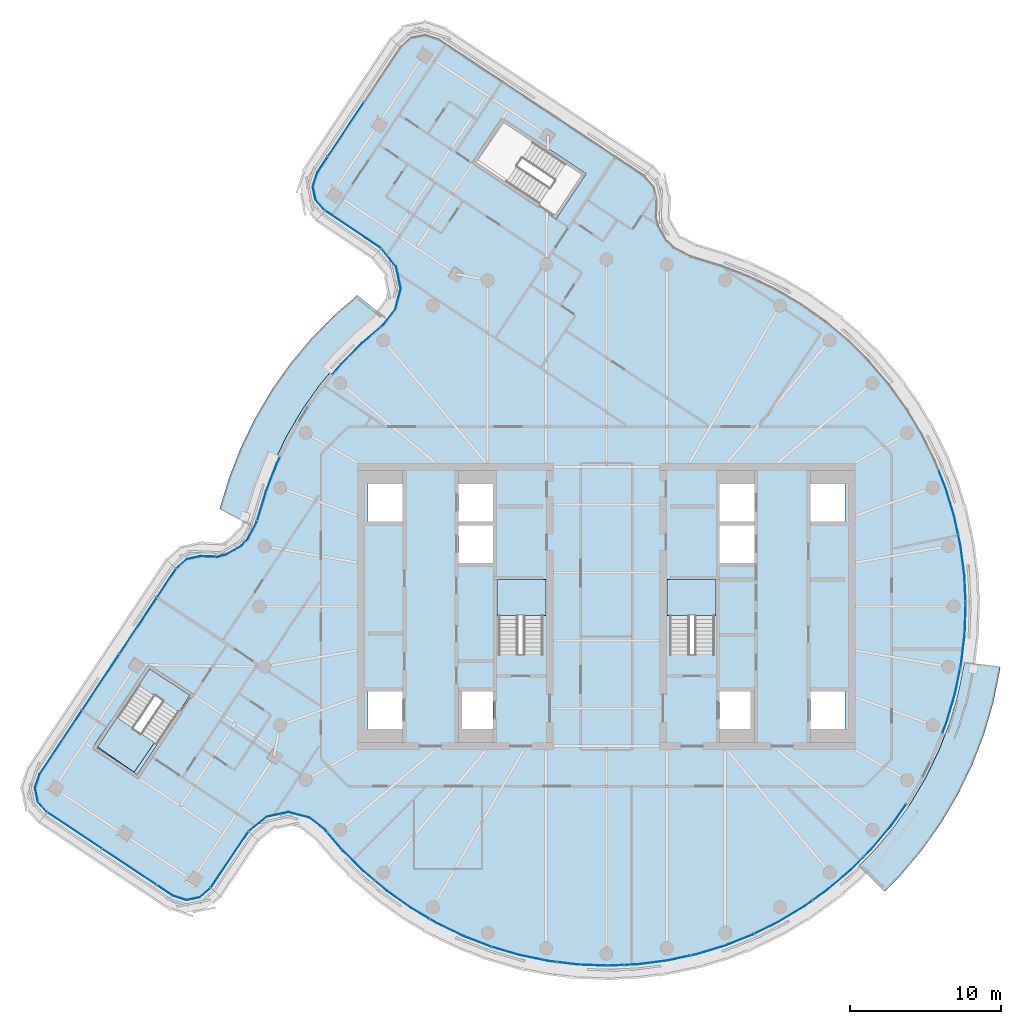
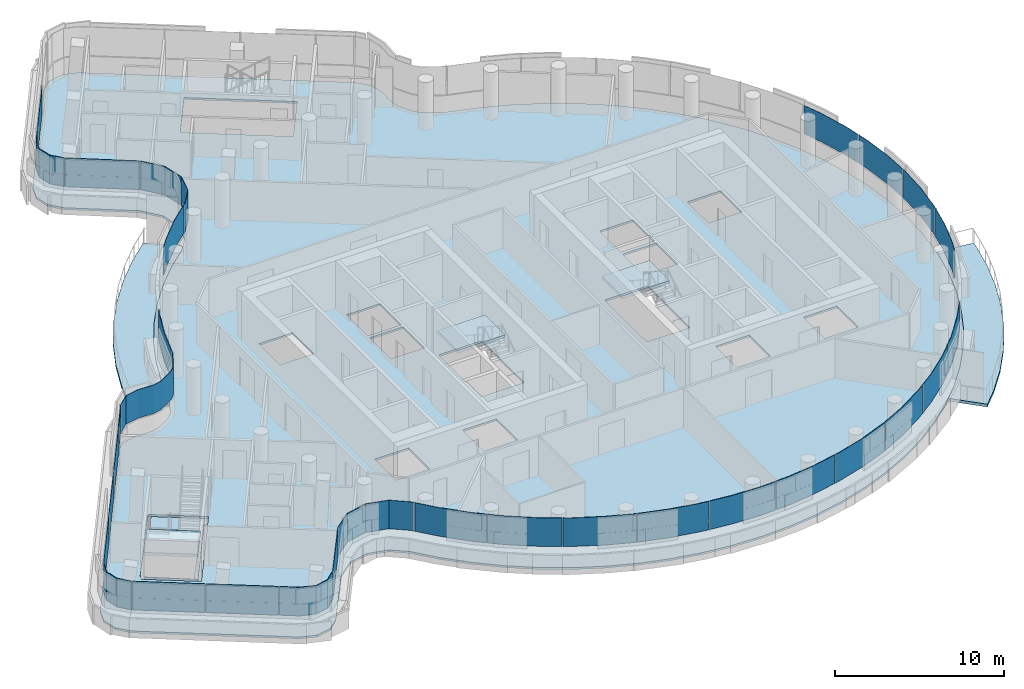
# One storey, part 15 of 27: 30 plates, 7 slabs, 10 elements without a shape of their own.
"""IFC4 building model written with IfcOpenShell, lengths in metres."""

from ifc_helpers import new_model, si_unit, direction, frame, origin, place, context, subcontext, project, spatial, polyline, outline, extrude, material, layer, layer_set, type_object, element, aggregate, save


model = new_model("IFC4")

# Units and contexts
model_context = context("Model", 3, precision=1e-05, world=origin(), true_north=direction((0.0, 1.0)))
body_context = subcontext(model_context, "Body", "Model", "MODEL_VIEW")
ifc_project = project(units=[si_unit("LENGTHUNIT", "METRE"), si_unit("AREAUNIT", "SQUARE_METRE"), si_unit("VOLUMEUNIT", "CUBIC_METRE"), si_unit("PLANEANGLEUNIT", "RADIAN"), si_unit("MASSUNIT", "GRAM", prefix="KILO")], contexts=[model_context])

# Site, building, storey
site_placement = place(None, origin())
site = spatial("IfcSite", under=ifc_project, at=site_placement, CompositionType="ELEMENT")
building_placement = place(site_placement, origin())
building = spatial("IfcBuilding", under=site, at=building_placement, Name="Tamarind Cross Interchange Tower", CompositionType="ELEMENT")
storey_placement = place(building_placement, frame((0.0, 0.0, 237.89990234375)))
storey = spatial("IfcBuildingStorey", under=building, at=storey_placement, Name="L60", CompositionType="ELEMENT", Elevation=237.89990234375)

# Slabs
ifc_material_1 = material(Name="Precast concrete C40", Category="concrete")
ifc_layer_1 = layer(ifc_material_1, 0.199951171875)
ifc_layer_set_1 = layer_set([ifc_layer_1], Name="Precast concrete C40")
slab_type_1 = type_object("IfcSlabType", Name="Balcony slab", PredefinedType="BASESLAB", material=ifc_layer_set_1)
slab_1_placement = place(storey_placement, frame((0.0, 0.0, -0.199951171875)))
element("IfcSlab", 1, at=slab_1_placement, inside=storey, type_object=slab_type_1, Name="SLB-L60-BAL02", PredefinedType="BASESLAB", context=body_context, shape_type="SweptSolid", body=[
    extrude(outline(polyline([(16.7412109375, -17.167236328125), (17.72412109375, -16.17578125), (18.99951171875, -14.656982421875), (20.14501953125, -13.0380859375), (21.15283203125, -11.329833984375), (22.01611328125, -9.54443359375), (22.72900390625, -7.69384765625), (23.286865234375, -5.79052734375), (23.685546875, -3.84765625), (23.69921875, -3.734130859375), (26.08203125, -4.020751953125), (26.056396484375, -4.23291015625), (25.617919921875, -6.3701171875), (25.00439453125, -8.4638671875), (24.219970703125, -10.499755859375), (23.270263671875, -12.464111328125), (22.161376953125, -14.343017578125), (20.9013671875, -16.124267578125), (19.498291015625, -17.795166015625), (18.445556640625, -18.857177734375), (16.7412109375, -17.167236328125)])), origin(), (0.0, 0.0, 1.0), 0.199951171875),
])
slab_2_placement = place(storey_placement, frame((0.0, 0.0, -0.199951171875)))
element("IfcSlab", 2, at=slab_2_placement, inside=storey, type_object=slab_type_1, Name="SLB-L60-BAL06", PredefinedType="BASESLAB", context=body_context, shape_type="SweptSolid", body=[
    extrude(outline(polyline([(-14.65673828125, 19.135009765625), (-14.93408203125, 18.776123046875), (-16.327880859375, 17.584228515625), (-17.72412109375, 16.17578125), (-18.99951171875, 14.656982421875), (-20.14501953125, 13.0380859375), (-21.15283203125, 11.329833984375), (-22.01611328125, 9.54443359375), (-22.72900390625, 7.69384765625), (-23.3564453125, 5.649169921875), (-23.507080078125, 5.365234375), (-25.626953125, 6.49072265625), (-25.583740234375, 6.572265625), (-24.998779296875, 8.47802734375), (-24.219970703125, 10.499755859375), (-23.270263671875, 12.464111328125), (-22.161376953125, 14.343017578125), (-20.9013671875, 16.124267578125), (-19.498291015625, 17.795166015625), (-17.962646484375, 19.34423828125), (-16.681884765625, 20.439208984375), (-16.55615234375, 20.60205078125), (-14.65673828125, 19.135009765625)])), origin(), (0.0, 0.0, 1.0), 0.199951171875),
])
ifc_material_2 = material(Name="Concrete C35", Category="concrete")
ifc_layer_2 = layer(ifc_material_2, 0.139892578125)
ifc_layer_set_2 = layer_set([ifc_layer_2], Name="Concrete C35")
slab_type_2 = type_object("IfcSlabType", Name="Composite slab 140 Concrete C35", PredefinedType="FLOOR", material=ifc_layer_set_2)
slab_3_placement = place(storey_placement, frame((0.0, 0.0, -0.139892578125)))
element("IfcSlab", 3, at=slab_3_placement, inside=storey, type_object=slab_type_2, Name="Floor slab L60", PredefinedType="FLOOR", context=body_context, shape_type="SweptSolid", body=[
    extrude(outline(polyline([(-27.8896484375, 3.317626953125), (-28.648681640625, 2.6416015625), (-37.72021484375, -11.022216796875), (-38.050048828125, -12.00341796875), (-37.844970703125, -13.018310546875), (-37.16015625, -13.794677734375), (-28.8291015625, -19.32568359375), (-27.84765625, -19.65576171875), (-26.8330078125, -19.45068359375), (-26.056640625, -18.765869140625), (-23.554931640625, -15.0458984375), (-22.411865234375, -14.11669921875), (-21.0859375, -13.82958984375), (-19.771484375, -14.165283203125), (-18.77587890625, -14.93408203125), (-17.584228515625, -16.327880859375), (-16.17578125, -17.72412109375), (-14.656982421875, -18.99951171875), (-13.0380859375, -20.14501953125), (-11.329833984375, -21.15283203125), (-9.54443359375, -22.01611328125), (-7.693603515625, -22.72900390625), (-5.79052734375, -23.286865234375), (-3.84765625, -23.685546875), (-1.878662109375, -23.92236328125), (0.103271484375, -23.99560546875), (2.08447265625, -23.9052734375), (4.051513671875, -23.651611328125), (5.99072265625, -23.236083984375), (7.88916015625, -22.662109375), (9.7333984375, -21.93310546875), (11.511474609375, -21.054443359375), (13.2109375, -20.031982421875), (14.820068359375, -18.87255859375), (16.327880859375, -17.584228515625), (17.72412109375, -16.17578125), (18.99951171875, -14.656982421875), (20.14501953125, -13.0380859375), (21.15283203125, -11.329833984375), (22.01611328125, -9.54443359375), (22.72900390625, -7.693603515625), (23.286865234375, -5.79052734375), (23.685546875, -3.84765625), (23.92236328125, -1.878662109375), (23.99560546875, 0.103271484375), (23.9052734375, 2.08447265625), (23.651611328125, 4.051513671875), (23.236083984375, 5.99072265625), (22.662109375, 7.88916015625), (21.93310546875, 9.7333984375), (21.054443359375, 11.511474609375), (20.031982421875, 13.2109375), (18.87255859375, 14.820068359375), (17.584228515625, 16.327880859375), (16.17578125, 17.72412109375), (14.656982421875, 18.99951171875), (13.0380859375, 20.14501953125), (11.329833984375, 21.15283203125), (9.54443359375, 22.01611328125), (7.693603515625, 22.72900390625), (5.649169921875, 23.3564453125), (4.55224609375, 23.93896484375), (4.161376953125, 24.3173828125), (3.614990234375, 25.27197265625), (3.486328125, 25.80078125), (3.533447265625, 26.896484375), (3.317626953125, 27.8896484375), (2.6416015625, 28.648681640625), (-11.022216796875, 37.72021484375), (-12.00341796875, 38.050048828125), (-13.018310546875, 37.844970703125), (-13.794677734375, 37.16015625), (-19.32568359375, 28.8291015625), (-19.65576171875, 27.84765625), (-19.45068359375, 26.8330078125), (-18.765869140625, 26.056640625), (-15.0458984375, 23.554931640625), (-14.11669921875, 22.411865234375), (-13.82958984375, 21.0859375), (-14.165283203125, 19.771484375), (-14.93408203125, 18.77587890625), (-16.327880859375, 17.584228515625), (-17.72412109375, 16.17578125), (-18.99951171875, 14.656982421875), (-20.14501953125, 13.0380859375), (-21.15283203125, 11.329833984375), (-22.01611328125, 9.54443359375), (-22.72900390625, 7.693603515625), (-23.3564453125, 5.649169921875), (-23.93896484375, 4.55224609375), (-24.3173828125, 4.161376953125), (-25.27197265625, 3.614990234375), (-25.80078125, 3.486328125), (-26.896484375, 3.533447265625), (-27.8896484375, 3.317626953125)]), holes=[polyline([(-30.313232421875, -3.84326171875), (-30.146484375, -3.953857421875), (-27.480712890625, -5.723876953125), (-27.31396484375, -5.83447265625), (-31.02001953125, -11.416259765625), (-31.1865234375, -11.3056640625), (-33.852294921875, -9.53564453125), (-34.01904296875, -9.425048828125), (-33.861328125, -9.1875), (-33.91064453125, -9.1533203125), (-32.04150390625, -6.446533203125), (-30.313232421875, -3.84326171875)]), polyline([(-13.5, -8.125), (-15.800048828125, -8.125), (-15.800048828125, -5.625), (-13.5, -5.625), (-13.5, -8.125)]), polyline([(-7.5, -8.125), (-9.800048828125, -8.125), (-9.800048828125, -5.625), (-7.5, -5.625), (-7.5, -8.125)]), polyline([(-7.5, 2.875), (-9.800048828125, 2.875), (-9.800048828125, 5.375), (-7.5, 5.375), (-7.5, 2.875)]), polyline([(-13.5, 8.125), (-13.5, 5.625), (-15.800048828125, 5.625), (-15.800048828125, 8.125), (-13.5, 8.125)]), polyline([(-7.5, 5.625), (-9.800048828125, 5.625), (-9.800048828125, 8.125), (-7.5, 8.125), (-7.5, 5.625)]), polyline([(-1.343994140625, 28.65380859375), (-1.45458984375, 28.4873046875), (-3.224609375, 25.8212890625), (-3.335205078125, 25.65478515625), (-8.9169921875, 29.360595703125), (-8.806396484375, 29.527099609375), (-7.036376953125, 32.193115234375), (-6.92578125, 32.359619140625), (-6.687744140625, 32.20166015625), (-6.684814453125, 32.2060546875), (-6.446533203125, 32.04150390625), (-1.343994140625, 28.65380859375)]), polyline([(7.5, -8.125), (7.5, -5.625), (9.800048828125, -5.625), (9.800048828125, -8.125), (7.5, -8.125)]), polyline([(13.5, -8.125), (13.5, -5.625), (15.800048828125, -5.625), (15.800048828125, -8.125), (13.5, -8.125)]), polyline([(-7.14990234375, 1.800048828125), (-4.199951171875, 1.800048828125), (-4.199951171875, -3.18798828125), (-7.14990234375, -3.18798828125), (-7.14990234375, 1.800048828125)]), polyline([(7.14990234375, 1.800048828125), (7.14990234375, -3.18798828125), (4.199951171875, -3.18798828125), (4.199951171875, 1.800048828125), (7.14990234375, 1.800048828125)]), polyline([(7.5, 5.375), (9.800048828125, 5.375), (9.800048828125, 2.875), (7.5, 2.875), (7.5, 5.375)]), polyline([(7.5, 5.625), (7.5, 8.125), (9.800048828125, 8.125), (9.800048828125, 5.625), (7.5, 5.625)]), polyline([(13.5, 8.125), (15.800048828125, 8.125), (15.800048828125, 5.625), (13.5, 5.625), (13.5, 8.125)])]), origin(), (0.0, 0.0, 1.0), 0.139892578125),
])
slab_4_placement = place(storey_placement, frame((0.0, 0.0, -0.139892578125)))
element("IfcSlab", 4, at=slab_4_placement, inside=storey, type_object=slab_type_2, Name="Floor slab L60", PredefinedType="FLOOR", context=body_context, shape_type="SweptSolid", body=[
    extrude(outline(polyline([(-33.74169921875, -9.369140625), (-31.075927734375, -11.13916015625), (-27.59130859375, -5.890380859375), (-30.257080078125, -4.12060546875), (-30.937255859375, -5.14501953125), (-30.98291015625, -5.213623046875), (-28.45849609375, -6.889404296875), (-31.277587890625, -10.9716796875), (-33.69677734375, -9.30126953125), (-33.74169921875, -9.369140625)])), origin(), (0.0, 0.0, 1.0), 0.139892578125),
])

# Stair, slab
ifc_material_3 = material(Name="Exit stair")
stair_type = type_object("IfcStairType", Name="Exit stair", PredefinedType="HALF_TURN_STAIR", material=ifc_material_3)
stair_1_placement = place(storey_placement, origin())
stair_1 = element("IfcStair", 5, at=stair_1_placement, inside=storey, type_object=stair_type, Name="L60 exit stair ST1", PredefinedType="HALF_TURN_STAIR")
ifc_material_4 = material(Name="Concrete C40", Category="concrete")
ifc_layer_3 = layer(ifc_material_4, 0.199951171875)
ifc_layer_set_3 = layer_set([ifc_layer_3], Name="Concrete C40")
slab_type_3 = type_object("IfcSlabType", Name="Stair landing", PredefinedType="LANDING", material=ifc_layer_set_3)
slab_5_placement = place(storey_placement, frame((0.0, 0.0, 1.60009765625)))
slab_5 = element("IfcSlab", 6, at=slab_5_placement, type_object=slab_type_3, Name="ST1 landing 1", PredefinedType="LANDING", context=body_context, shape_type="SweptSolid", body=[
    extrude(outline(polyline([(-4.0, -0.60009765625), (-4.0, 1.800048828125), (-7.25, 1.800048828125), (-7.25, -0.60009765625), (-4.0, -0.60009765625)])), origin(), (0.0, 0.0, 1.0), 0.199951171875),
])
aggregate(stair_1, [slab_5])

stair_2_placement = place(storey_placement, origin())
stair_2 = element("IfcStair", 7, at=stair_2_placement, inside=storey, type_object=stair_type, Name="L60 exit stair ST2", PredefinedType="HALF_TURN_STAIR")
slab_6_placement = place(storey_placement, frame((0.0, 0.0, 1.60009765625)))
slab_6 = element("IfcSlab", 8, at=slab_6_placement, type_object=slab_type_3, Name="ST2 landing 1", PredefinedType="LANDING", context=body_context, shape_type="SweptSolid", body=[
    extrude(outline(polyline([(7.25, -0.60009765625), (7.25, 1.800048828125), (4.0, 1.800048828125), (4.0, -0.60009765625), (7.25, -0.60009765625)])), origin(), (0.0, 0.0, 1.0), 0.199951171875),
])
aggregate(stair_2, [slab_6])

stair_3_placement = place(storey_placement, origin())
stair_3 = element("IfcStair", 9, at=stair_3_placement, inside=storey, type_object=stair_type, Name="L60 exit stair ST5", PredefinedType="HALF_TURN_STAIR")
slab_7_placement = place(storey_placement, frame((0.0, 0.0, 1.60009765625)))
slab_7 = element("IfcSlab", 10, at=slab_7_placement, type_object=slab_type_3, Name="ST5 landing 1", PredefinedType="LANDING", context=body_context, shape_type="SweptSolid", body=[
    extrude(outline(polyline([(-32.40771484375, -7.359619140625), (-33.74169921875, -9.369140625), (-31.075927734375, -11.13916015625), (-29.74169921875, -9.129638671875), (-32.40771484375, -7.359619140625)])), origin(), (0.0, 0.0, 1.0), 0.199951171875),
])
aggregate(stair_3, [slab_7])

# Curtain wall, plates
ifc_material_5 = material(Name="Aluminium 6063-T6", Category="aluminium")
ifc_layer_4 = layer(ifc_material_5, 0.139892578125)
ifc_layer_set_4 = layer_set([ifc_layer_4], Name="Aluminium 6063-T6")
curtain_wall_type = type_object("IfcCurtainWallType", Name="Hotel curtain wall, 4.5 m bays", PredefinedType="NOTDEFINED", material=ifc_layer_set_4)
curtain_wall_1_placement = place(storey_placement, origin())
curtain_wall_1 = element("IfcCurtainWall", 11, at=curtain_wall_1_placement, inside=storey, type_object=curtain_wall_type, Name="CWS-L60-00", PredefinedType="NOTDEFINED")
ifc_material_6 = material(Name="Laminated low-e glass 6+1.52+6", Category="glass")
ifc_layer_5 = layer(ifc_material_6, 0.02392578125)
ifc_layer_set_5 = layer_set([ifc_layer_5], Name="Laminated low-e glass 6+1.52+6")
plate_type = type_object("IfcPlateType", Name="Vision panel CW2", PredefinedType="CURTAIN_PANEL", material=ifc_layer_set_5)
plate_1_placement = place(storey_placement, frame((0.0, 0.0, 1.400146484375)))
plate_1 = element("IfcPlate", 12, at=plate_1_placement, type_object=plate_type, Name="CWP-L60-00-00", PredefinedType="CURTAIN_PANEL", context=body_context, shape_type="SweptSolid", body=[
    extrude(outline(polyline([(-36.995849609375, -13.649169921875), (-33.425537109375, -16.01953125), (-33.438720703125, -16.03955078125), (-37.00927734375, -13.669189453125), (-36.995849609375, -13.649169921875)])), origin(), (0.0, 0.0, 1.0), 2.06005859375),
])
plate_2_placement = place(storey_placement, frame((0.0, 0.0, 1.400146484375)))
plate_2 = element("IfcPlate", 13, at=plate_2_placement, type_object=plate_type, Name="CWP-L60-00-01", PredefinedType="CURTAIN_PANEL", context=body_context, shape_type="SweptSolid", body=[
    extrude(outline(polyline([(-33.37548828125, -16.052734375), (-29.80517578125, -18.423095703125), (-29.818603515625, -18.443115234375), (-33.388916015625, -16.07275390625), (-33.37548828125, -16.052734375)])), origin(), (0.0, 0.0, 1.0), 2.06005859375),
])
plate_3_placement = place(storey_placement, frame((0.0, 0.0, 1.400146484375)))
plate_3 = element("IfcPlate", 14, at=plate_3_placement, type_object=plate_type, Name="CWP-L60-00-02", PredefinedType="CURTAIN_PANEL", context=body_context, shape_type="SweptSolid", body=[
    extrude(outline(polyline([(-29.755126953125, -18.456298828125), (-28.735107421875, -19.1337890625), (-27.833984375, -19.4365234375), (-26.9306640625, -19.254150390625), (-26.23876953125, -18.6435546875), (-26.22265625, -18.66162109375), (-26.91943359375, -19.2763671875), (-27.835693359375, -19.46142578125), (-28.74560546875, -19.155517578125), (-29.7685546875, -18.476318359375), (-29.755126953125, -18.456298828125)])), origin(), (0.0, 0.0, 1.0), 2.06005859375),
])
aggregate(curtain_wall_1, [plate_1, plate_2, plate_3])

# Curtain wall, plate
curtain_wall_2_placement = place(storey_placement, origin())
curtain_wall_2 = element("IfcCurtainWall", 15, at=curtain_wall_2_placement, inside=storey, type_object=curtain_wall_type, Name="CWS-L60-01", PredefinedType="NOTDEFINED")
plate_4_placement = place(storey_placement, frame((0.0, 0.0, 1.400146484375)))
plate_4 = element("IfcPlate", 16, at=plate_4_placement, type_object=plate_type, Name="CWP-L60-01-00", PredefinedType="CURTAIN_PANEL", context=body_context, shape_type="SweptSolid", body=[
    extrude(outline(polyline([(-26.201416015625, -18.601318359375), (-23.73095703125, -14.927734375), (-23.7109375, -14.94091796875), (-26.181396484375, -18.61474609375), (-26.201416015625, -18.601318359375)])), origin(), (0.0, 0.0, 1.0), 2.06005859375),
])
aggregate(curtain_wall_2, [plate_4])

# Curtain wall, plates
curtain_wall_3_placement = place(storey_placement, origin())
curtain_wall_3 = element("IfcCurtainWall", 17, at=curtain_wall_3_placement, inside=storey, type_object=curtain_wall_type, Name="CWS-L60-02", PredefinedType="NOTDEFINED")
plate_5_placement = place(storey_placement, frame((0.0, 0.0, 1.400146484375)))
plate_5 = element("IfcPlate", 18, at=plate_5_placement, type_object=plate_type, Name="CWP-L60-02-00", PredefinedType="CURTAIN_PANEL", context=body_context, shape_type="SweptSolid", body=[
    extrude(outline(polyline([(-23.6884765625, -14.881103515625), (-22.506103515625, -13.920166015625), (-21.081787109375, -13.61181640625), (-19.676513671875, -13.970703125), (-18.629150390625, -14.779541015625), (-18.5068359375, -14.922607421875), (-18.525146484375, -14.93798828125), (-18.645751953125, -14.797119140625), (-19.687255859375, -13.99267578125), (-21.082275390625, -13.636474609375), (-22.49560546875, -13.9423828125), (-23.67333984375, -14.89990234375), (-23.6884765625, -14.881103515625)])), origin(), (0.0, 0.0, 1.0), 2.06005859375),
])
plate_6_placement = place(storey_placement, frame((0.0, 0.0, 1.400146484375)))
plate_6 = element("IfcPlate", 19, at=plate_6_placement, type_object=plate_type, Name="CWP-L60-02-01", PredefinedType="CURTAIN_PANEL", context=body_context, shape_type="SweptSolid", body=[
    extrude(outline(polyline([(-18.468017578125, -14.968017578125), (-17.4287109375, -16.183349609375), (-16.032958984375, -17.5673828125), (-15.37060546875, -18.12353515625), (-15.385986328125, -18.141845703125), (-16.049072265625, -17.585205078125), (-17.446533203125, -16.19970703125), (-18.486083984375, -14.983642578125), (-18.468017578125, -14.968017578125)])), origin(), (0.0, 0.0, 1.0), 2.06005859375),
])
plate_7_placement = place(storey_placement, frame((0.0, 0.0, 1.400146484375)))
plate_7 = element("IfcPlate", 20, at=plate_7_placement, type_object=plate_type, Name="CWP-L60-02-02", PredefinedType="CURTAIN_PANEL", context=body_context, shape_type="SweptSolid", body=[
    extrude(outline(polyline([(-15.324462890625, -18.162109375), (-14.52734375, -18.83154296875), (-12.922607421875, -19.966796875), (-11.718017578125, -20.677490234375), (-11.730224609375, -20.6982421875), (-12.935791015625, -19.987060546875), (-14.5419921875, -18.850341796875), (-15.340087890625, -18.180419921875), (-15.324462890625, -18.162109375)])), origin(), (0.0, 0.0, 1.0), 2.06005859375),
])
plate_8_placement = place(storey_placement, frame((0.0, 0.0, 1.400146484375)))
plate_8 = element("IfcPlate", 21, at=plate_8_placement, type_object=plate_type, Name="CWP-L60-02-03", PredefinedType="CURTAIN_PANEL", context=body_context, shape_type="SweptSolid", body=[
    extrude(outline(polyline([(-11.66650390625, -20.7080078125), (-11.229736328125, -20.9658203125), (-9.4599609375, -21.821533203125), (-7.656982421875, -22.51611328125), (-7.66552734375, -22.53857421875), (-9.469482421875, -21.843505859375), (-11.240966796875, -20.98681640625), (-11.678466796875, -20.728759765625), (-11.66650390625, -20.7080078125)])), origin(), (0.0, 0.0, 1.0), 2.06005859375),
])
plate_9_placement = place(storey_placement, frame((0.0, 0.0, 1.400146484375)))
plate_9 = element("IfcPlate", 22, at=plate_9_placement, type_object=plate_type, Name="CWP-L60-02-04", PredefinedType="CURTAIN_PANEL", context=body_context, shape_type="SweptSolid", body=[
    extrude(outline(polyline([(-7.60107421875, -22.535400390625), (-5.7392578125, -23.080810546875), (-3.813720703125, -23.47607421875), (-3.318603515625, -23.53564453125), (-3.321533203125, -23.559326171875), (-3.817626953125, -23.499755859375), (-5.7451171875, -23.104248046875), (-7.60791015625, -22.558349609375), (-7.60107421875, -22.535400390625)])), origin(), (0.0, 0.0, 1.0), 2.06005859375),
])
plate_10_placement = place(storey_placement, frame((0.0, 0.0, 1.400146484375)))
plate_10 = element("IfcPlate", 23, at=plate_10_placement, type_object=plate_type, Name="CWP-L60-02-05", PredefinedType="CURTAIN_PANEL", context=body_context, shape_type="SweptSolid", body=[
    extrude(outline(polyline([(-3.259033203125, -23.542724609375), (-1.862060546875, -23.710693359375), (0.102294921875, -23.783447265625), (1.1337890625, -23.736328125), (1.135009765625, -23.760498046875), (0.1025390625, -23.8076171875), (-1.864013671875, -23.734619140625), (-3.261962890625, -23.566650390625), (-3.259033203125, -23.542724609375)])), origin(), (0.0, 0.0, 1.0), 2.06005859375),
])
plate_11_placement = place(storey_placement, frame((0.0, 0.0, 1.400146484375)))
plate_11 = element("IfcPlate", 24, at=plate_11_placement, type_object=plate_type, Name="CWP-L60-02-06", PredefinedType="CURTAIN_PANEL", context=body_context, shape_type="SweptSolid", body=[
    extrude(outline(polyline([(1.19384765625, -23.733642578125), (2.06591796875, -23.69384765625), (4.015625, -23.4423828125), (5.547119140625, -23.1142578125), (5.552001953125, -23.1376953125), (4.019775390625, -23.466064453125), (2.068115234375, -23.7177734375), (1.19482421875, -23.757568359375), (1.19384765625, -23.733642578125)])), origin(), (0.0, 0.0, 1.0), 2.06005859375),
])
plate_12_placement = place(storey_placement, frame((0.0, 0.0, 1.400146484375)))
plate_12 = element("IfcPlate", 25, at=plate_12_placement, type_object=plate_type, Name="CWP-L60-02-07", PredefinedType="CURTAIN_PANEL", context=body_context, shape_type="SweptSolid", body=[
    extrude(outline(polyline([(5.605712890625, -23.101806640625), (5.937744140625, -23.03076171875), (7.8193359375, -22.461669921875), (9.6474609375, -21.7392578125), (9.766357421875, -21.680419921875), (9.777099609375, -21.701904296875), (9.6572265625, -21.76123046875), (7.8271484375, -22.484375), (5.94384765625, -23.053955078125), (5.61083984375, -23.125244140625), (5.605712890625, -23.101806640625)])), origin(), (0.0, 0.0, 1.0), 2.06005859375),
])
plate_13_placement = place(storey_placement, frame((0.0, 0.0, 1.400146484375)))
plate_13 = element("IfcPlate", 26, at=plate_13_placement, type_object=plate_type, Name="CWP-L60-02-08", PredefinedType="CURTAIN_PANEL", context=body_context, shape_type="SweptSolid", body=[
    extrude(outline(polyline([(9.8203125, -21.65380859375), (11.40966796875, -20.868408203125), (13.093994140625, -19.854736328125), (13.634521484375, -19.46533203125), (13.648681640625, -19.48486328125), (13.107177734375, -19.874755859375), (11.421142578125, -20.889404296875), (9.830810546875, -21.67529296875), (9.8203125, -21.65380859375)])), origin(), (0.0, 0.0, 1.0), 2.06005859375),
])
plate_14_placement = place(storey_placement, frame((0.0, 0.0, 1.400146484375)))
plate_14 = element("IfcPlate", 27, at=plate_14_placement, type_object=plate_type, Name="CWP-L60-02-09", PredefinedType="CURTAIN_PANEL", context=body_context, shape_type="SweptSolid", body=[
    extrude(outline(polyline([(13.683349609375, -19.43017578125), (14.68896484375, -18.705810546875), (16.183349609375, -17.4287109375), (17.0283203125, -16.57666015625), (17.04541015625, -16.593505859375), (16.19970703125, -17.4462890625), (14.703857421875, -18.724609375), (13.697265625, -19.44970703125), (13.683349609375, -19.43017578125)])), origin(), (0.0, 0.0, 1.0), 2.06005859375),
])
plate_15_placement = place(storey_placement, frame((0.0, 0.0, 1.400146484375)))
plate_15 = element("IfcPlate", 28, at=plate_15_placement, type_object=plate_type, Name="CWP-L60-02-10", PredefinedType="CURTAIN_PANEL", context=body_context, shape_type="SweptSolid", body=[
    extrude(outline(polyline([(17.070556640625, -16.533935546875), (17.5673828125, -16.032958984375), (18.83154296875, -14.52734375), (19.832763671875, -13.112060546875), (19.852294921875, -13.1259765625), (18.850341796875, -14.5419921875), (17.585205078125, -16.049072265625), (17.087646484375, -16.55078125), (17.070556640625, -16.533935546875)])), origin(), (0.0, 0.0, 1.0), 2.06005859375),
])
plate_16_placement = place(storey_placement, frame((0.0, 0.0, 1.400146484375)))
plate_16 = element("IfcPlate", 29, at=plate_16_placement, type_object=plate_type, Name="CWP-L60-02-12", PredefinedType="CURTAIN_PANEL", context=body_context, shape_type="SweptSolid", body=[
    extrude(outline(polyline([(22.240234375, -8.372802734375), (22.528076171875, -7.625732421875), (23.080810546875, -5.7392578125), (23.410400390625, -4.134033203125), (23.433837890625, -4.138916015625), (23.104248046875, -5.7451171875), (22.55078125, -7.63330078125), (22.2626953125, -8.381591796875), (22.240234375, -8.372802734375)])), origin(), (0.0, 0.0, 1.0), 2.06005859375),
])
plate_17_placement = place(storey_placement, frame((0.0, 0.0, 1.400146484375)))
plate_17 = element("IfcPlate", 30, at=plate_17_placement, type_object=plate_type, Name="CWP-L60-02-13", PredefinedType="CURTAIN_PANEL", context=body_context, shape_type="SweptSolid", body=[
    extrude(outline(polyline([(23.42236328125, -4.0751953125), (23.47607421875, -3.813720703125), (23.710693359375, -1.862060546875), (23.783447265625, 0.102294921875), (23.774169921875, 0.307373046875), (23.798095703125, 0.308349609375), (23.8076171875, 0.1025390625), (23.734619140625, -1.864013671875), (23.499755859375, -3.817626953125), (23.44580078125, -4.080078125), (23.42236328125, -4.0751953125)])), origin(), (0.0, 0.0, 1.0), 2.06005859375),
])
plate_18_placement = place(storey_placement, frame((0.0, 0.0, 1.400146484375)))
plate_18 = element("IfcPlate", 31, at=plate_18_placement, type_object=plate_type, Name="CWP-L60-02-14", PredefinedType="CURTAIN_PANEL", context=body_context, shape_type="SweptSolid", body=[
    extrude(outline(polyline([(23.771484375, 0.3671875), (23.69384765625, 2.06591796875), (23.4423828125, 4.015625), (23.28759765625, 4.738037109375), (23.31103515625, 4.7431640625), (23.466064453125, 4.019775390625), (23.7177734375, 2.068115234375), (23.79541015625, 0.368408203125), (23.771484375, 0.3671875)])), origin(), (0.0, 0.0, 1.0), 2.06005859375),
])
plate_19_placement = place(storey_placement, frame((0.0, 0.0, 1.400146484375)))
plate_19 = element("IfcPlate", 32, at=plate_19_placement, type_object=plate_type, Name="CWP-L60-02-15", PredefinedType="CURTAIN_PANEL", context=body_context, shape_type="SweptSolid", body=[
    extrude(outline(polyline([(23.275146484375, 4.796630859375), (23.03076171875, 5.937744140625), (22.461669921875, 7.8193359375), (21.993896484375, 9.0029296875), (22.016357421875, 9.01171875), (22.484375, 7.8271484375), (23.053955078125, 5.94384765625), (23.298583984375, 4.8017578125), (23.275146484375, 4.796630859375)])), origin(), (0.0, 0.0, 1.0), 2.06005859375),
])
aggregate(curtain_wall_3, [plate_5, plate_6, plate_7, plate_8, plate_9, plate_10, plate_11, plate_12, plate_13, plate_14, plate_15, plate_16, plate_17, plate_18, plate_19])

curtain_wall_4_placement = place(storey_placement, origin())
curtain_wall_4 = element("IfcCurtainWall", 33, at=curtain_wall_4_placement, inside=storey, type_object=curtain_wall_type, Name="CWS-L60-04", PredefinedType="NOTDEFINED")
plate_20_placement = place(storey_placement, frame((0.0, 0.0, 1.400146484375)))
plate_20 = element("IfcPlate", 34, at=plate_20_placement, type_object=plate_type, Name="CWP-L60-04-01", PredefinedType="CURTAIN_PANEL", context=body_context, shape_type="SweptSolid", body=[
    extrude(outline(polyline([(-16.052734375, 33.37548828125), (-18.423095703125, 29.80517578125), (-18.443115234375, 29.818603515625), (-16.07275390625, 33.388916015625), (-16.052734375, 33.37548828125)])), origin(), (0.0, 0.0, 1.0), 2.06005859375),
])
plate_21_placement = place(storey_placement, frame((0.0, 0.0, 1.400146484375)))
plate_21 = element("IfcPlate", 35, at=plate_21_placement, type_object=plate_type, Name="CWP-L60-04-02", PredefinedType="CURTAIN_PANEL", context=body_context, shape_type="SweptSolid", body=[
    extrude(outline(polyline([(-18.456298828125, 29.755126953125), (-19.1337890625, 28.735107421875), (-19.4365234375, 27.833984375), (-19.254150390625, 26.9306640625), (-18.6435546875, 26.23876953125), (-18.66162109375, 26.22265625), (-19.2763671875, 26.91943359375), (-19.46142578125, 27.835693359375), (-19.155517578125, 28.74560546875), (-18.476318359375, 29.7685546875), (-18.456298828125, 29.755126953125)])), origin(), (0.0, 0.0, 1.0), 2.06005859375),
])
aggregate(curtain_wall_4, [plate_20, plate_21])

# Curtain wall, plate
curtain_wall_5_placement = place(storey_placement, origin())
curtain_wall_5 = element("IfcCurtainWall", 36, at=curtain_wall_5_placement, inside=storey, type_object=curtain_wall_type, Name="CWS-L60-05", PredefinedType="NOTDEFINED")
plate_22_placement = place(storey_placement, frame((0.0, 0.0, 1.400146484375)))
plate_22 = element("IfcPlate", 37, at=plate_22_placement, type_object=plate_type, Name="CWP-L60-05-00", PredefinedType="CURTAIN_PANEL", context=body_context, shape_type="SweptSolid", body=[
    extrude(outline(polyline([(-18.601318359375, 26.201416015625), (-14.927734375, 23.73095703125), (-14.94091796875, 23.7109375), (-18.61474609375, 26.181396484375), (-18.601318359375, 26.201416015625)])), origin(), (0.0, 0.0, 1.0), 2.06005859375),
])
aggregate(curtain_wall_5, [plate_22])

# Curtain wall, plates
curtain_wall_6_placement = place(storey_placement, origin())
curtain_wall_6 = element("IfcCurtainWall", 38, at=curtain_wall_6_placement, inside=storey, type_object=curtain_wall_type, Name="CWS-L60-06", PredefinedType="NOTDEFINED")
plate_23_placement = place(storey_placement, frame((0.0, 0.0, 1.400146484375)))
plate_23 = element("IfcPlate", 39, at=plate_23_placement, type_object=plate_type, Name="CWP-L60-06-00", PredefinedType="CURTAIN_PANEL", context=body_context, shape_type="SweptSolid", body=[
    extrude(outline(polyline([(-14.881103515625, 23.6884765625), (-13.920166015625, 22.506103515625), (-13.61181640625, 21.081787109375), (-13.970703125, 19.676513671875), (-14.779541015625, 18.629150390625), (-14.922607421875, 18.5068359375), (-14.93798828125, 18.525146484375), (-14.797119140625, 18.645751953125), (-13.99267578125, 19.687255859375), (-13.636474609375, 21.082275390625), (-13.9423828125, 22.49560546875), (-14.89990234375, 23.67333984375), (-14.881103515625, 23.6884765625)])), origin(), (0.0, 0.0, 1.0), 2.06005859375),
])
plate_24_placement = place(storey_placement, frame((0.0, 0.0, 1.400146484375)))
plate_24 = element("IfcPlate", 40, at=plate_24_placement, type_object=plate_type, Name="CWP-L60-06-01", PredefinedType="CURTAIN_PANEL", context=body_context, shape_type="SweptSolid", body=[
    extrude(outline(polyline([(-14.968017578125, 18.468017578125), (-16.183349609375, 17.4287109375), (-17.5673828125, 16.032958984375), (-18.12353515625, 15.37060546875), (-18.141845703125, 15.385986328125), (-17.585205078125, 16.049072265625), (-16.19970703125, 17.446533203125), (-14.983642578125, 18.486083984375), (-14.968017578125, 18.468017578125)])), origin(), (0.0, 0.0, 1.0), 2.06005859375),
])
plate_25_placement = place(storey_placement, frame((0.0, 0.0, 1.400146484375)))
plate_25 = element("IfcPlate", 41, at=plate_25_placement, type_object=plate_type, Name="CWP-L60-06-03", PredefinedType="CURTAIN_PANEL", context=body_context, shape_type="SweptSolid", body=[
    extrude(outline(polyline([(-21.618896484375, 9.879150390625), (-21.821533203125, 9.4599609375), (-22.528564453125, 7.62451171875), (-23.11572265625, 5.710693359375), (-23.138671875, 5.717529296875), (-22.55126953125, 7.63232421875), (-21.843505859375, 9.469482421875), (-21.640380859375, 9.8896484375), (-21.618896484375, 9.879150390625)])), origin(), (0.0, 0.0, 1.0), 2.06005859375),
])
plate_26_placement = place(storey_placement, frame((0.0, 0.0, 1.400146484375)))
plate_26 = element("IfcPlate", 42, at=plate_26_placement, type_object=plate_type, Name="CWP-L60-06-04", PredefinedType="CURTAIN_PANEL", context=body_context, shape_type="SweptSolid", body=[
    extrude(outline(polyline([(-23.133544921875, 5.6533203125), (-23.15966796875, 5.567626953125), (-23.765625, 4.42626953125), (-24.186279296875, 3.9921875), (-25.192626953125, 3.416015625), (-25.77978515625, 3.273193359375), (-26.87841796875, 3.3203125), (-27.790283203125, 3.122314453125), (-28.4658203125, 2.520263671875), (-28.48193359375, 2.538330078125), (-27.801513671875, 3.144287109375), (-26.88037109375, 3.344482421875), (-25.7822265625, 3.29736328125), (-25.20166015625, 3.4384765625), (-24.200927734375, 4.01123046875), (-23.785400390625, 4.4404296875), (-23.181884765625, 5.576904296875), (-23.156494140625, 5.66015625), (-23.133544921875, 5.6533203125)])), origin(), (0.0, 0.0, 1.0), 2.06005859375),
])
aggregate(curtain_wall_6, [plate_23, plate_24, plate_25, plate_26])

curtain_wall_7_placement = place(storey_placement, origin())
curtain_wall_7 = element("IfcCurtainWall", 43, at=curtain_wall_7_placement, inside=storey, type_object=curtain_wall_type, Name="CWS-L60-07", PredefinedType="NOTDEFINED")
plate_27_placement = place(storey_placement, frame((0.0, 0.0, 1.400146484375)))
plate_27 = element("IfcPlate", 44, at=plate_27_placement, type_object=plate_type, Name="CWP-L60-07-00", PredefinedType="CURTAIN_PANEL", context=body_context, shape_type="SweptSolid", body=[
    extrude(outline(polyline([(-28.5029296875, 2.477783203125), (-29.75048828125, 0.598388671875), (-29.7705078125, 0.611572265625), (-28.52294921875, 2.490966796875), (-28.5029296875, 2.477783203125)])), origin(), (0.0, 0.0, 1.0), 2.06005859375),
])
plate_28_placement = place(storey_placement, frame((0.0, 0.0, 1.400146484375)))
plate_28 = element("IfcPlate", 45, at=plate_28_placement, type_object=plate_type, Name="CWP-L60-07-01", PredefinedType="CURTAIN_PANEL", context=body_context, shape_type="SweptSolid", body=[
    extrude(outline(polyline([(-29.78369140625, 0.54833984375), (-32.231689453125, -3.138671875), (-32.251708984375, -3.12548828125), (-29.8037109375, 0.5615234375), (-29.78369140625, 0.54833984375)])), origin(), (0.0, 0.0, 1.0), 2.06005859375),
])
plate_29_placement = place(storey_placement, frame((0.0, 0.0, 1.400146484375)))
plate_29 = element("IfcPlate", 46, at=plate_29_placement, type_object=plate_type, Name="CWP-L60-07-02", PredefinedType="CURTAIN_PANEL", context=body_context, shape_type="SweptSolid", body=[
    extrude(outline(polyline([(-32.264892578125, -3.188720703125), (-34.712646484375, -6.875732421875), (-34.732666015625, -6.862548828125), (-32.284912109375, -3.17529296875), (-32.264892578125, -3.188720703125)])), origin(), (0.0, 0.0, 1.0), 2.06005859375),
])
plate_30_placement = place(storey_placement, frame((0.0, 0.0, 1.400146484375)))
plate_30 = element("IfcPlate", 47, at=plate_30_placement, type_object=plate_type, Name="CWP-L60-07-03", PredefinedType="CURTAIN_PANEL", context=body_context, shape_type="SweptSolid", body=[
    extrude(outline(polyline([(-34.745849609375, -6.92578125), (-37.528076171875, -11.1162109375), (-37.8310546875, -12.017333984375), (-37.6484375, -12.920654296875), (-37.038330078125, -13.612060546875), (-37.056396484375, -13.6279296875), (-37.670654296875, -12.931640625), (-37.855712890625, -12.015625), (-37.5498046875, -11.10546875), (-34.765869140625, -6.912353515625), (-34.745849609375, -6.92578125)])), origin(), (0.0, 0.0, 1.0), 2.06005859375),
])
aggregate(curtain_wall_7, [plate_27, plate_28, plate_29, plate_30])

save(model, "model.ifc")
